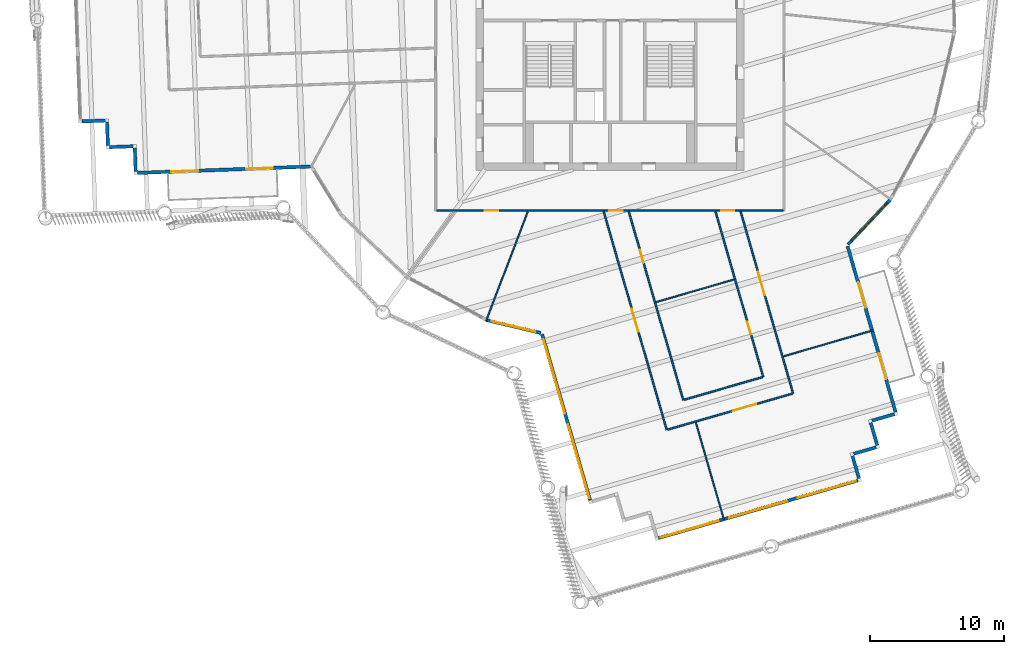
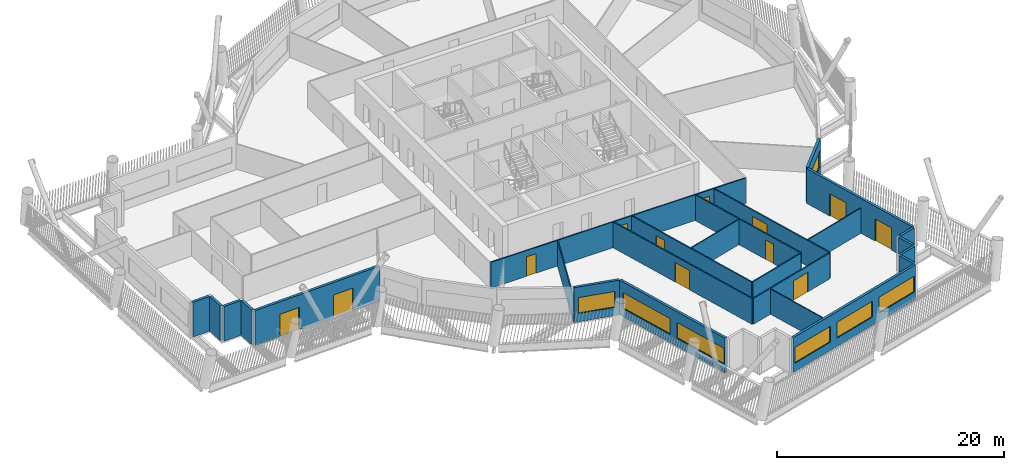
# One storey, part 3 of 20: 25 walls, 12 doors, 7 windows, 19 openings.
"""IFC4 building model written with IfcOpenShell, lengths in metres."""

from ifc_helpers import new_model, si_unit, direction, frame, frame_2d, origin, place, context, subcontext, project, spatial, rectangle, extrude, material, layer, layer_set, type_object, element, fill, save


model = new_model("IFC4")

# Units and contexts
model_context = context("Model", 3, precision=1e-05, world=origin(), true_north=direction((0.0, 1.0)))
body_context = subcontext(model_context, "Body", "Model", "MODEL_VIEW")
ifc_project = project(units=[si_unit("LENGTHUNIT", "METRE"), si_unit("AREAUNIT", "SQUARE_METRE"), si_unit("VOLUMEUNIT", "CUBIC_METRE"), si_unit("PLANEANGLEUNIT", "RADIAN"), si_unit("MASSUNIT", "GRAM", prefix="KILO")], contexts=[model_context])

# Site, building, storey
site_placement = place(None, origin())
site = spatial("IfcSite", under=ifc_project, at=site_placement, CompositionType="ELEMENT")
building_placement = place(site_placement, origin())
building = spatial("IfcBuilding", under=site, at=building_placement, Name="Tarsis Ring Headquarters", CompositionType="ELEMENT")
storey_placement = place(building_placement, frame((0.0, 0.0, 294.199951171875)))
storey = spatial("IfcBuildingStorey", under=building, at=storey_placement, Name="L69", CompositionType="ELEMENT", Elevation=294.199951171875)

# Walls
ifc_material_1 = material(Name="Gypsum board on steel studs", Category="steel")
ifc_layer_1 = layer(ifc_material_1, 0.10009765625)
ifc_layer_set_1 = layer_set([ifc_layer_1], Name="FL partition 100 unrated")
wall_type_1 = type_object("IfcWallType", Name="FL partition 100 unrated", PredefinedType="PARTITIONING", material=ifc_layer_set_1)
wall_1_placement = place(storey_placement, frame((-9.248046875, -24.243896484375, 0.0), z_axis=(0.0, 0.0, 1.0), x_axis=(0.356408663159, 0.934330169065, 0.0)))
element("IfcWall", 1, at=wall_1_placement, inside=storey, type_object=wall_type_1, Name="Partition PW3", PredefinedType="PARTITIONING", context=body_context, shape_type="SweptSolid", body=[
    extrude(rectangle(XDim=8.743408203125, YDim=0.10009765625, at=frame_2d((4.37158203125, 0.0))), origin(), (0.0, 0.0, 1.0), 2.699951171875),
])
wall_2_placement = place(storey_placement, frame((6.4169921875, -31.8193359375, 0.0), z_axis=(0.0, 0.0, 1.0), x_axis=(0.277643093449, -0.960684293959, 0.0)))
element("IfcWall", 2, at=wall_2_placement, inside=storey, type_object=wall_type_1, Name="Partition PW3", PredefinedType="PARTITIONING", context=body_context, shape_type="SweptSolid", body=[
    extrude(rectangle(XDim=7.60009765625, YDim=0.10009765625, at=frame_2d((3.800048828125, 0.0))), origin(), (0.0, 0.0, 1.0), 2.699951171875),
])
wall_3_placement = place(storey_placement, frame((12.95263671875, -26.880615234375, 0.0), z_axis=(0.0, 0.0, 1.0), x_axis=(0.960680138632, 0.277657471066, 0.0)))
element("IfcWall", 3, at=wall_3_placement, inside=storey, type_object=wall_type_1, Name="Partition PW3", PredefinedType="PARTITIONING", context=body_context, shape_type="SweptSolid", body=[
    extrude(rectangle(XDim=6.97021484375, YDim=0.10009765625, at=frame_2d((3.485107421875, 0.0))), origin(), (0.0, 0.0, 1.0), 2.699951171875),
])
wall_4_placement = place(storey_placement, frame((3.434814453125, -22.833984375, 0.0), z_axis=(0.0, 0.0, 1.0), x_axis=(0.960689196962, 0.277626127807, 0.0)))
element("IfcWall", 4, at=wall_4_placement, inside=storey, type_object=wall_type_1, Name="Partition PW3", PredefinedType="PARTITIONING", context=body_context, shape_type="SweptSolid", body=[
    extrude(rectangle(XDim=6.080078125, YDim=0.10009765625, at=frame_2d((3.0400390625, 0.0))), origin(), (0.0, 0.0, 1.0), 2.699951171875),
])

# Wall, openings, doors
ifc_layer_2 = layer(ifc_material_1, 0.125)
ifc_layer_set_2 = layer_set([ifc_layer_2], Name="FL partition 125 EI 60 H2770")
wall_type_2 = type_object("IfcWallType", Name="FL partition 125 EI 60 H2770", PredefinedType="PARTITIONING", material=ifc_layer_set_2)
wall_5_placement = place(storey_placement, frame((-12.93994140625, -16.0, 0.0), z_axis=(0.0, 0.0, 1.0), x_axis=(1.0, 0.0, 0.0)))
wall_5 = element("IfcWall", 5, at=wall_5_placement, inside=storey, type_object=wall_type_2, Name="Partition PW1", PredefinedType="PARTITIONING", context=body_context, shape_type="SweptSolid", body=[
    extrude(rectangle(XDim=25.8798828125, YDim=0.125, at=frame_2d((12.93994140625, 0.0))), origin(), (0.0, 0.0, 1.0), 2.77001953125),
])
opening_1_placement = place(wall_5_placement, frame((3.6015625, 0.0, 0.0)))
opening_1 = element("IfcOpeningElement", 6, at=opening_1_placement, cuts=wall_5, Name="Opening D69.13", PredefinedType="OPENING", context=body_context, shape_type="SweptSolid", body=[
    extrude(rectangle(XDim=1.0, YDim=2.10009765625, at=frame_2d((0.5, 1.050048828125))), frame((0.0, 0.072509765625, 0.0), z_axis=(0.0, -1.0, 0.0), x_axis=(1.0, 0.0, 0.0)), (0.0, 0.0, 1.0), 0.14501953125),
])
opening_2_placement = place(wall_5_placement, frame((12.89013671875, 0.0, 0.0)))
opening_2 = element("IfcOpeningElement", 7, at=opening_2_placement, cuts=wall_5, Name="Opening D69.19", PredefinedType="OPENING", context=body_context, shape_type="SweptSolid", body=[
    extrude(rectangle(XDim=1.0, YDim=2.10009765625, at=frame_2d((0.5, 1.050048828125))), frame((0.0, 0.072509765625, 0.0), z_axis=(0.0, -1.0, 0.0), x_axis=(1.0, 0.0, 0.0)), (0.0, 0.0, 1.0), 0.14501953125),
])
opening_3_placement = place(wall_5_placement, frame((21.23828125, 0.0, 0.0)))
opening_3 = element("IfcOpeningElement", 8, at=opening_3_placement, cuts=wall_5, Name="Opening D69.20", PredefinedType="OPENING", context=body_context, shape_type="SweptSolid", body=[
    extrude(rectangle(XDim=1.0, YDim=2.10009765625, at=frame_2d((0.5, 1.050048828125))), frame((0.0, 0.072509765625, 0.0), z_axis=(0.0, -1.0, 0.0), x_axis=(1.0, 0.0, 0.0)), (0.0, 0.0, 1.0), 0.14501953125),
])
ifc_material_2 = material(Name="Fire-rated timber door leaf in steel frame", Category="steel")
door_type_1 = type_object("IfcDoorType", Name="FL door FD60-1000", OperationType="NOTDEFINED", PredefinedType="DOOR", material=ifc_material_2)
door_1_placement = place(opening_1_placement, origin())
door_1 = element("IfcDoor", 9, at=door_1_placement, inside=storey, type_object=door_type_1, Name="Door D69.13", OperationType="SINGLE_SWING_RIGHT", OverallHeight=2.10009765625, OverallWidth=1.0, PredefinedType="DOOR", context=body_context, shape_type="SweptSolid", body=[
    extrude(rectangle(XDim=1.0, YDim=2.10009765625, at=frame_2d((0.5, 1.050048828125))), frame((0.0, 0.02490234375, 0.0), z_axis=(0.0, -1.0, 0.0), x_axis=(1.0, 0.0, 0.0)), (0.0, 0.0, 1.0), 0.050048828125),
])
fill(opening_1, door_1)
door_2_placement = place(opening_2_placement, origin())
door_2 = element("IfcDoor", 10, at=door_2_placement, inside=storey, type_object=door_type_1, Name="Door D69.19", OperationType="SINGLE_SWING_RIGHT", OverallHeight=2.10009765625, OverallWidth=1.0, PredefinedType="DOOR", context=body_context, shape_type="SweptSolid", body=[
    extrude(rectangle(XDim=1.0, YDim=2.10009765625, at=frame_2d((0.5, 1.050048828125))), frame((0.0, 0.02490234375, 0.0), z_axis=(0.0, -1.0, 0.0), x_axis=(1.0, 0.0, 0.0)), (0.0, 0.0, 1.0), 0.050048828125),
])
fill(opening_2, door_2)
door_3_placement = place(opening_3_placement, origin())
door_3 = element("IfcDoor", 11, at=door_3_placement, inside=storey, type_object=door_type_1, Name="Door D69.20", OperationType="SINGLE_SWING_LEFT", OverallHeight=2.10009765625, OverallWidth=1.0, PredefinedType="DOOR", context=body_context, shape_type="SweptSolid", body=[
    extrude(rectangle(XDim=1.0, YDim=2.10009765625, at=frame_2d((0.5, 1.050048828125))), frame((0.0, 0.02490234375, 0.0), z_axis=(0.0, -1.0, 0.0), x_axis=(1.0, 0.0, 0.0)), (0.0, 0.0, 1.0), 0.050048828125),
])
fill(opening_3, door_3)

# Wall, opening, door
wall_6_placement = place(storey_placement, frame((-0.464599609375, -16.076904296875, 0.0), z_axis=(0.0, 0.0, 1.0), x_axis=(0.277656541268, -0.960680407363, 0.0)))
wall_6 = element("IfcWall", 12, at=wall_6_placement, inside=storey, type_object=wall_type_2, Name="Partition PW1", PredefinedType="PARTITIONING", context=body_context, shape_type="SweptSolid", body=[
    extrude(rectangle(XDim=16.964111328125, YDim=0.125, at=frame_2d((8.48193359375, 0.0))), origin(), (0.0, 0.0, 1.0), 2.77001953125),
])
opening_4_placement = place(wall_6_placement, frame((7.5419921875, 0.0, 0.0)))
opening_4 = element("IfcOpeningElement", 13, at=opening_4_placement, cuts=wall_6, Name="Opening D69.12", PredefinedType="OPENING", context=body_context, shape_type="SweptSolid", body=[
    extrude(rectangle(XDim=1.800048828125, YDim=2.10009765625, at=frame_2d((0.89990234375, 1.050048828125))), frame((0.0, 0.072509765625, 0.0), z_axis=(0.0, -1.0, 0.0), x_axis=(1.0, 0.0, 0.0)), (0.0, 0.0, 1.0), 0.14501953125),
])
door_type_2 = type_object("IfcDoorType", Name="FL door FD60-1800", OperationType="DOUBLE_DOOR_SINGLE_SWING", PredefinedType="DOOR", material=ifc_material_2)
door_4_placement = place(opening_4_placement, origin())
door_4 = element("IfcDoor", 14, at=door_4_placement, inside=storey, type_object=door_type_2, Name="Door D69.12", OperationType="DOUBLE_DOOR_SINGLE_SWING", OverallHeight=2.10009765625, OverallWidth=1.800048828125, PredefinedType="DOOR", context=body_context, shape_type="SweptSolid", body=[
    extrude(rectangle(XDim=1.800048828125, YDim=2.10009765625, at=frame_2d((0.89990234375, 1.050048828125))), frame((0.0, 0.02490234375, 0.0), z_axis=(0.0, -1.0, 0.0), x_axis=(1.0, 0.0, 0.0)), (0.0, 0.0, 1.0), 0.050048828125),
])
fill(opening_4, door_4)

wall_7_placement = place(storey_placement, frame((1.4091796875, -16.076904296875, 0.0), z_axis=(0.0, 0.0, 1.0), x_axis=(0.27765283552, -0.960681478393, 0.0)))
wall_7 = element("IfcWall", 15, at=wall_7_placement, inside=storey, type_object=wall_type_2, Name="Partition PW1", PredefinedType="PARTITIONING", context=body_context, shape_type="SweptSolid", body=[
    extrude(rectangle(XDim=14.643798828125, YDim=0.125, at=frame_2d((7.32177734375, 0.0))), origin(), (0.0, 0.0, 1.0), 2.77001953125),
])
opening_5_placement = place(wall_7_placement, frame((2.989501953125, 0.0, 0.0)))
opening_5 = element("IfcOpeningElement", 16, at=opening_5_placement, cuts=wall_7, Name="Opening D69.17", PredefinedType="OPENING", context=body_context, shape_type="SweptSolid", body=[
    extrude(rectangle(XDim=1.0, YDim=2.10009765625, at=frame_2d((0.5, 1.050048828125))), frame((0.0, 0.072509765625, 0.0), z_axis=(0.0, -1.0, 0.0), x_axis=(1.0, 0.0, 0.0)), (0.0, 0.0, 1.0), 0.14501953125),
])
door_5_placement = place(opening_5_placement, origin())
door_5 = element("IfcDoor", 17, at=door_5_placement, inside=storey, type_object=door_type_1, Name="Door D69.17", OperationType="SINGLE_SWING_RIGHT", OverallHeight=2.10009765625, OverallWidth=1.0, PredefinedType="DOOR", context=body_context, shape_type="SweptSolid", body=[
    extrude(rectangle(XDim=1.0, YDim=2.10009765625, at=frame_2d((0.5, 1.050048828125))), frame((0.0, 0.02490234375, 0.0), z_axis=(0.0, -1.0, 0.0), x_axis=(1.0, 0.0, 0.0)), (0.0, 0.0, 1.0), 0.050048828125),
])
fill(opening_5, door_5)

wall_8_placement = place(storey_placement, frame((9.75732421875, -16.076904296875, 0.0), z_axis=(0.0, 0.0, 1.0), x_axis=(0.277648476079, -0.960682738333, 0.0)))
wall_8 = element("IfcWall", 18, at=wall_8_placement, inside=storey, type_object=wall_type_2, Name="Partition PW1", PredefinedType="PARTITIONING", context=body_context, shape_type="SweptSolid", body=[
    extrude(rectangle(XDim=14.126220703125, YDim=0.125, at=frame_2d((7.06298828125, 0.0))), origin(), (0.0, 0.0, 1.0), 2.77001953125),
])
opening_6_placement = place(wall_8_placement, frame((4.6953125, 0.0, 0.0)))
opening_6 = element("IfcOpeningElement", 19, at=opening_6_placement, cuts=wall_8, Name="Opening D69.10", PredefinedType="OPENING", context=body_context, shape_type="SweptSolid", body=[
    extrude(rectangle(XDim=1.800048828125, YDim=2.10009765625, at=frame_2d((0.89990234375, 1.050048828125))), frame((0.0, 0.072509765625, 0.0), z_axis=(0.0, -1.0, 0.0), x_axis=(1.0, 0.0, 0.0)), (0.0, 0.0, 1.0), 0.14501953125),
])
door_6_placement = place(opening_6_placement, origin())
door_6 = element("IfcDoor", 20, at=door_6_placement, inside=storey, type_object=door_type_2, Name="Door D69.10", OperationType="DOUBLE_DOOR_SINGLE_SWING", OverallHeight=2.10009765625, OverallWidth=1.800048828125, PredefinedType="DOOR", context=body_context, shape_type="SweptSolid", body=[
    extrude(rectangle(XDim=1.800048828125, YDim=2.10009765625, at=frame_2d((0.89990234375, 1.050048828125))), frame((0.0, 0.02490234375, 0.0), z_axis=(0.0, -1.0, 0.0), x_axis=(1.0, 0.0, 0.0)), (0.0, 0.0, 1.0), 0.050048828125),
])
fill(opening_6, door_6)

wall_9_placement = place(storey_placement, frame((7.8837890625, -16.076904296875, 0.0), z_axis=(0.0, 0.0, 1.0), x_axis=(0.277639048988, -0.960685462822, 0.0)))
wall_9 = element("IfcWall", 21, at=wall_9_placement, inside=storey, type_object=wall_type_2, Name="Partition PW1", PredefinedType="PARTITIONING", context=body_context, shape_type="SweptSolid", body=[
    extrude(rectangle(XDim=12.846435546875, YDim=0.125, at=frame_2d((6.42333984375, 0.0))), origin(), (0.0, 0.0, 1.0), 2.77001953125),
])
opening_7_placement = place(wall_9_placement, frame((8.5537109375, 0.0, 0.0)))
opening_7 = element("IfcOpeningElement", 22, at=opening_7_placement, cuts=wall_9, Name="Opening D69.18", PredefinedType="OPENING", context=body_context, shape_type="SweptSolid", body=[
    extrude(rectangle(XDim=1.0, YDim=2.10009765625, at=frame_2d((0.5, 1.050048828125))), frame((0.0, 0.072509765625, 0.0), z_axis=(0.0, -1.0, 0.0), x_axis=(1.0, 0.0, 0.0)), (0.0, 0.0, 1.0), 0.14501953125),
])
door_7_placement = place(opening_7_placement, origin())
door_7 = element("IfcDoor", 23, at=door_7_placement, inside=storey, type_object=door_type_1, Name="Door D69.18", OperationType="SINGLE_SWING_LEFT", OverallHeight=2.10009765625, OverallWidth=1.0, PredefinedType="DOOR", context=body_context, shape_type="SweptSolid", body=[
    extrude(rectangle(XDim=1.0, YDim=2.10009765625, at=frame_2d((0.5, 1.050048828125))), frame((0.0, 0.02490234375, 0.0), z_axis=(0.0, -1.0, 0.0), x_axis=(1.0, 0.0, 0.0)), (0.0, 0.0, 1.0), 0.050048828125),
])
fill(opening_7, door_7)

wall_10_placement = place(storey_placement, frame((4.30322265625, -32.357421875, 0.0), z_axis=(0.0, 0.0, 1.0), x_axis=(0.960684648863, 0.27764186543, 0.0)))
wall_10 = element("IfcWall", 24, at=wall_10_placement, inside=storey, type_object=wall_type_2, Name="Partition PW1", PredefinedType="PARTITIONING", context=body_context, shape_type="SweptSolid", body=[
    extrude(rectangle(XDim=9.699951171875, YDim=0.125, at=frame_2d((4.85009765625, 0.0))), origin(), (0.0, 0.0, 1.0), 2.77001953125),
])
opening_8_placement = place(wall_10_placement, frame((5.07177734375, 0.0, 0.0)))
opening_8 = element("IfcOpeningElement", 25, at=opening_8_placement, cuts=wall_10, Name="Opening D69.11", PredefinedType="OPENING", context=body_context, shape_type="SweptSolid", body=[
    extrude(rectangle(XDim=1.800048828125, YDim=2.10009765625, at=frame_2d((0.89990234375, 1.050048828125))), frame((0.0, 0.072509765625, 0.0), z_axis=(0.0, -1.0, 0.0), x_axis=(1.0, 0.0, 0.0)), (0.0, 0.0, 1.0), 0.14501953125),
])
door_8_placement = place(opening_8_placement, origin())
door_8 = element("IfcDoor", 26, at=door_8_placement, inside=storey, type_object=door_type_2, Name="Door D69.11", OperationType="DOUBLE_DOOR_SINGLE_SWING", OverallHeight=2.10009765625, OverallWidth=1.800048828125, PredefinedType="DOOR", context=body_context, shape_type="SweptSolid", body=[
    extrude(rectangle(XDim=1.800048828125, YDim=2.10009765625, at=frame_2d((0.89990234375, 1.050048828125))), frame((0.0, 0.02490234375, 0.0), z_axis=(0.0, -1.0, 0.0), x_axis=(1.0, 0.0, 0.0)), (0.0, 0.0, 1.0), 0.050048828125),
])
fill(opening_8, door_8)

# Wall
wall_11_placement = place(storey_placement, frame((5.53271484375, -30.12841796875, 0.0), z_axis=(0.0, 0.0, 1.0), x_axis=(0.960684296458, 0.277643084803, 0.0)))
element("IfcWall", 27, at=wall_11_placement, inside=storey, type_object=wall_type_2, Name="Partition PW1", PredefinedType="PARTITIONING", context=body_context, shape_type="SweptSolid", body=[
    extrude(rectangle(XDim=6.099853515625, YDim=0.125, at=frame_2d((3.0498046875, 0.0))), origin(), (0.0, 0.0, 1.0), 2.77001953125),
])

# Wall, openings, doors
ifc_material_3 = material(Name="Terracotta clad insulated panel wall", Category="masonry")
ifc_layer_3 = layer(ifc_material_3, 0.25)
ifc_layer_set_3 = layer_set([ifc_layer_3], Name="Facade wall terracotta panel 250")
wall_type_3 = type_object("IfcWallType", Name="Facade wall terracotta panel 250", PredefinedType="STANDARD", material=ifc_layer_set_3)
wall_12_placement = place(storey_placement, frame((-35.2861328125, -13.189453125, 0.0), z_axis=(0.0, 0.0, 1.0), x_axis=(0.999315506521, 0.036993491677, 0.0)))
wall_12 = element("IfcWall", 28, at=wall_12_placement, inside=storey, type_object=wall_type_3, Name="External wall L69-01", PredefinedType="STANDARD", context=body_context, shape_type="SweptSolid", body=[
    extrude(rectangle(XDim=12.921875, YDim=0.25, at=frame_2d((6.4609375, 0.0))), origin(), (0.0, 0.0, 1.0), 3.739990234375),
])
opening_9_placement = place(wall_12_placement, frame((2.550048828125, 0.0, 0.0)))
opening_9 = element("IfcOpeningElement", 29, at=opening_9_placement, cuts=wall_12, Name="Opening L69-BD01", PredefinedType="OPENING", context=body_context, shape_type="SweptSolid", body=[
    extrude(rectangle(XDim=2.0, YDim=2.39990234375, at=frame_2d((1.0, 1.199951171875))), frame((0.0, 0.135009765625, 0.0), z_axis=(0.0, -1.0, 0.0), x_axis=(1.0, 0.0, 0.0)), (0.0, 0.0, 1.0), 0.27001953125),
])
opening_10_placement = place(wall_12_placement, frame((8.1220703125, 0.0, 0.0)))
opening_10 = element("IfcOpeningElement", 30, at=opening_10_placement, cuts=wall_12, Name="Opening L69-BD02", PredefinedType="OPENING", context=body_context, shape_type="SweptSolid", body=[
    extrude(rectangle(XDim=2.0, YDim=2.39990234375, at=frame_2d((1.0, 1.199951171875))), frame((0.0, 0.135009765625, 0.0), z_axis=(0.0, -1.0, 0.0), x_axis=(1.0, 0.0, 0.0)), (0.0, 0.0, 1.0), 0.27001953125),
])
ifc_material_4 = material(Name="Aluminium framed double glazing", Category="aluminium")
door_type_3 = type_object("IfcDoorType", Name="Balcony sliding door 2000 x 2400", OperationType="SLIDING_TO_LEFT", PredefinedType="DOOR", material=ifc_material_4)
door_9_placement = place(opening_9_placement, origin())
door_9 = element("IfcDoor", 31, at=door_9_placement, inside=storey, type_object=door_type_3, Name="Door L69-BD01", OperationType="SINGLE_SWING_LEFT", OverallHeight=2.39990234375, OverallWidth=2.0, PredefinedType="DOOR", context=body_context, shape_type="SweptSolid", body=[
    extrude(rectangle(XDim=2.0, YDim=2.39990234375, at=frame_2d((1.0, 1.199951171875))), frame((0.0, 0.02490234375, 0.0), z_axis=(0.0, -1.0, 0.0), x_axis=(1.0, 0.0, 0.0)), (0.0, 0.0, 1.0), 0.050048828125),
])
fill(opening_9, door_9)
door_10_placement = place(opening_10_placement, origin())
door_10 = element("IfcDoor", 32, at=door_10_placement, inside=storey, type_object=door_type_3, Name="Door L69-BD02", OperationType="SINGLE_SWING_LEFT", OverallHeight=2.39990234375, OverallWidth=2.0, PredefinedType="DOOR", context=body_context, shape_type="SweptSolid", body=[
    extrude(rectangle(XDim=2.0, YDim=2.39990234375, at=frame_2d((1.0, 1.199951171875))), frame((0.0, 0.02490234375, 0.0), z_axis=(0.0, -1.0, 0.0), x_axis=(1.0, 0.0, 0.0)), (0.0, 0.0, 1.0), 0.050048828125),
])
fill(opening_10, door_10)

# Wall, opening, window
wall_13_placement = place(storey_placement, frame((-9.205810546875, -24.178466796875, 0.0), z_axis=(0.0, 0.0, 1.0), x_axis=(0.972852820001, -0.231424697508, 0.0)))
wall_13 = element("IfcWall", 33, at=wall_13_placement, inside=storey, type_object=wall_type_3, Name="External wall L69-05", PredefinedType="STANDARD", context=body_context, shape_type="SweptSolid", body=[
    extrude(rectangle(XDim=4.157470703125, YDim=0.25, at=frame_2d((2.07861328125, 0.0))), origin(), (0.0, 0.0, 1.0), 3.739990234375),
])
opening_11_placement = place(wall_13_placement, frame((0.38720703125, 0.0, 0.89990234375)))
opening_11 = element("IfcOpeningElement", 34, at=opening_11_placement, cuts=wall_13, Name="Opening WN01", PredefinedType="OPENING", context=body_context, shape_type="SweptSolid", body=[
    extrude(rectangle(XDim=3.35009765625, YDim=1.699951171875, at=frame_2d((1.675048828125, 0.85009765625))), frame((0.0, 0.135009765625, 0.0), z_axis=(0.0, -1.0, 0.0), x_axis=(1.0, 0.0, 0.0)), (0.0, 0.0, 1.0), 0.27001953125),
])
window_type_1 = type_object("IfcWindowType", Name="Facade window 3350 x 1700", PartitioningType="SINGLE_PANEL", PredefinedType="WINDOW", material=ifc_material_4)
window_1_placement = place(opening_11_placement, origin())
window_1 = element("IfcWindow", 35, at=window_1_placement, inside=storey, type_object=window_type_1, Name="Window L69-05.1", OverallHeight=1.699951171875, OverallWidth=3.35009765625, PartitioningType="SINGLE_PANEL", PredefinedType="WINDOW", context=body_context, shape_type="SweptSolid", body=[
    extrude(rectangle(XDim=3.35009765625, YDim=1.699951171875, at=frame_2d((1.675048828125, 0.85009765625))), frame((0.0, 0.030029296875, 0.0), z_axis=(0.0, -1.0, 0.0), x_axis=(1.0, 0.0, 0.0)), (0.0, 0.0, 1.0), 0.06005859375),
])
fill(opening_11, window_1)

# Wall, openings, windows
wall_14_placement = place(storey_placement, frame((-5.06982421875, -25.2275390625, 0.0), z_axis=(0.0, 0.0, 1.0), x_axis=(0.277636916542, -0.960686079098, 0.0)))
wall_14 = element("IfcWall", 36, at=wall_14_placement, inside=storey, type_object=wall_type_3, Name="External wall L69-06", PredefinedType="STANDARD", context=body_context, shape_type="SweptSolid", body=[
    extrude(rectangle(XDim=12.922119140625, YDim=0.25, at=frame_2d((6.4609375, 0.0))), origin(), (0.0, 0.0, 1.0), 3.739990234375),
])
opening_12_placement = place(wall_14_placement, frame((0.41796875, 0.0, 0.89990234375)))
opening_12 = element("IfcOpeningElement", 37, at=opening_12_placement, cuts=wall_14, Name="Opening WN06", PredefinedType="OPENING", context=body_context, shape_type="SweptSolid", body=[
    extrude(rectangle(XDim=5.75, YDim=1.699951171875, at=frame_2d((2.875, 0.85009765625))), frame((0.0, 0.135009765625, 0.0), z_axis=(0.0, -1.0, 0.0), x_axis=(1.0, 0.0, 0.0)), (0.0, 0.0, 1.0), 0.27001953125),
])
opening_13_placement = place(wall_14_placement, frame((7.00390625, 0.0, 0.89990234375)))
opening_13 = element("IfcOpeningElement", 38, at=opening_13_placement, cuts=wall_14, Name="Opening WN06", PredefinedType="OPENING", context=body_context, shape_type="SweptSolid", body=[
    extrude(rectangle(XDim=5.75, YDim=1.699951171875, at=frame_2d((2.875, 0.85009765625))), frame((0.0, 0.135009765625, 0.0), z_axis=(0.0, -1.0, 0.0), x_axis=(1.0, 0.0, 0.0)), (0.0, 0.0, 1.0), 0.27001953125),
])
window_type_2 = type_object("IfcWindowType", Name="Facade window 5750 x 1700", PartitioningType="SINGLE_PANEL", PredefinedType="WINDOW", material=ifc_material_4)
window_2_placement = place(opening_12_placement, origin())
window_2 = element("IfcWindow", 39, at=window_2_placement, inside=storey, type_object=window_type_2, Name="Window L69-06.1", OverallHeight=1.699951171875, OverallWidth=5.75, PartitioningType="SINGLE_PANEL", PredefinedType="WINDOW", context=body_context, shape_type="SweptSolid", body=[
    extrude(rectangle(XDim=5.75, YDim=1.699951171875, at=frame_2d((2.875, 0.85009765625))), frame((0.0, 0.030029296875, 0.0), z_axis=(0.0, -1.0, 0.0), x_axis=(1.0, 0.0, 0.0)), (0.0, 0.0, 1.0), 0.06005859375),
])
fill(opening_12, window_2)
window_3_placement = place(opening_13_placement, origin())
window_3 = element("IfcWindow", 40, at=window_3_placement, inside=storey, type_object=window_type_2, Name="Window L69-06.2", OverallHeight=1.699951171875, OverallWidth=5.75, PartitioningType="SINGLE_PANEL", PredefinedType="WINDOW", context=body_context, shape_type="SweptSolid", body=[
    extrude(rectangle(XDim=5.75, YDim=1.699951171875, at=frame_2d((2.875, 0.85009765625))), frame((0.0, 0.030029296875, 0.0), z_axis=(0.0, -1.0, 0.0), x_axis=(1.0, 0.0, 0.0)), (0.0, 0.0, 1.0), 0.06005859375),
])
fill(opening_13, window_3)

wall_15_placement = place(storey_placement, frame((3.6259765625, -40.458984375, 0.0), z_axis=(0.0, 0.0, 1.0), x_axis=(0.960684405501, 0.277642707499, 0.0)))
wall_15 = element("IfcWall", 41, at=wall_15_placement, inside=storey, type_object=wall_type_3, Name="External wall L69-11", PredefinedType="STANDARD", context=body_context, shape_type="SweptSolid", body=[
    extrude(rectangle(XDim=15.5, YDim=0.25, at=frame_2d((7.75, 0.0))), origin(), (0.0, 0.0, 1.0), 3.739990234375),
])
opening_14_placement = place(wall_15_placement, frame((0.166748046875, 0.0, 0.89990234375)))
opening_14 = element("IfcOpeningElement", 42, at=opening_14_placement, cuts=wall_15, Name="Opening WN04", PredefinedType="OPENING", context=body_context, shape_type="SweptSolid", body=[
    extrude(rectangle(XDim=4.5, YDim=1.699951171875, at=frame_2d((2.25, 0.85009765625))), frame((0.0, 0.135009765625, 0.0), z_axis=(0.0, -1.0, 0.0), x_axis=(1.0, 0.0, 0.0)), (0.0, 0.0, 1.0), 0.27001953125),
])
opening_15_placement = place(wall_15_placement, frame((5.5, 0.0, 0.89990234375)))
opening_15 = element("IfcOpeningElement", 43, at=opening_15_placement, cuts=wall_15, Name="Opening WN04", PredefinedType="OPENING", context=body_context, shape_type="SweptSolid", body=[
    extrude(rectangle(XDim=4.5, YDim=1.699951171875, at=frame_2d((2.25, 0.85009765625))), frame((0.0, 0.135009765625, 0.0), z_axis=(0.0, -1.0, 0.0), x_axis=(1.0, 0.0, 0.0)), (0.0, 0.0, 1.0), 0.27001953125),
])
opening_16_placement = place(wall_15_placement, frame((10.833251953125, 0.0, 0.89990234375)))
opening_16 = element("IfcOpeningElement", 44, at=opening_16_placement, cuts=wall_15, Name="Opening WN04", PredefinedType="OPENING", context=body_context, shape_type="SweptSolid", body=[
    extrude(rectangle(XDim=4.5, YDim=1.699951171875, at=frame_2d((2.25, 0.85009765625))), frame((0.0, 0.135009765625, 0.0), z_axis=(0.0, -1.0, 0.0), x_axis=(1.0, 0.0, 0.0)), (0.0, 0.0, 1.0), 0.27001953125),
])
window_type_3 = type_object("IfcWindowType", Name="Facade window 4500 x 1700", PartitioningType="SINGLE_PANEL", PredefinedType="WINDOW", material=ifc_material_4)
window_4_placement = place(opening_14_placement, origin())
window_4 = element("IfcWindow", 45, at=window_4_placement, inside=storey, type_object=window_type_3, Name="Window L69-11.1", OverallHeight=1.699951171875, OverallWidth=4.5, PartitioningType="SINGLE_PANEL", PredefinedType="WINDOW", context=body_context, shape_type="SweptSolid", body=[
    extrude(rectangle(XDim=4.5, YDim=1.699951171875, at=frame_2d((2.25, 0.85009765625))), frame((0.0, 0.030029296875, 0.0), z_axis=(0.0, -1.0, 0.0), x_axis=(1.0, 0.0, 0.0)), (0.0, 0.0, 1.0), 0.06005859375),
])
fill(opening_14, window_4)
window_5_placement = place(opening_15_placement, origin())
window_5 = element("IfcWindow", 46, at=window_5_placement, inside=storey, type_object=window_type_3, Name="Window L69-11.2", OverallHeight=1.699951171875, OverallWidth=4.5, PartitioningType="SINGLE_PANEL", PredefinedType="WINDOW", context=body_context, shape_type="SweptSolid", body=[
    extrude(rectangle(XDim=4.5, YDim=1.699951171875, at=frame_2d((2.25, 0.85009765625))), frame((0.0, 0.030029296875, 0.0), z_axis=(0.0, -1.0, 0.0), x_axis=(1.0, 0.0, 0.0)), (0.0, 0.0, 1.0), 0.06005859375),
])
fill(opening_15, window_5)
window_6_placement = place(opening_16_placement, origin())
window_6 = element("IfcWindow", 47, at=window_6_placement, inside=storey, type_object=window_type_3, Name="Window L69-11.3", OverallHeight=1.699951171875, OverallWidth=4.5, PartitioningType="SINGLE_PANEL", PredefinedType="WINDOW", context=body_context, shape_type="SweptSolid", body=[
    extrude(rectangle(XDim=4.5, YDim=1.699951171875, at=frame_2d((2.25, 0.85009765625))), frame((0.0, 0.030029296875, 0.0), z_axis=(0.0, -1.0, 0.0), x_axis=(1.0, 0.0, 0.0)), (0.0, 0.0, 1.0), 0.06005859375),
])
fill(opening_16, window_6)

# Walls
wall_16_placement = place(storey_placement, frame((18.60205078125, -36.000732421875, 0.0), z_axis=(0.0, 0.0, 1.0), x_axis=(-0.277722751034, 0.960661268897, 0.0)))
element("IfcWall", 48, at=wall_16_placement, inside=storey, type_object=wall_type_3, Name="External wall L69-12", PredefinedType="STANDARD", context=body_context, shape_type="SweptSolid", body=[
    extrude(rectangle(XDim=1.750244140625, YDim=0.25, at=frame_2d((0.875, 0.0))), origin(), (0.0, 0.0, 1.0), 3.739990234375),
])
for number, where, z_axis, x_axis, name in (
    (49, (18.201416015625, -34.16455078125, 0.0), (0.0, 0.0, 1.0), (0.96068772566, 0.277631219004, 0.0), "External wall L69-13"),
    (50, (19.968017578125, -33.52392578125, 0.0), (0.0, 0.0, 1.0), (-0.277631219004, 0.96068772566, 0.0), "External wall L69-14"),
    (51, (19.567626953125, -31.68798828125, 0.0), (0.0, 0.0, 1.0), (0.96068772566, 0.277631219004, 0.0), "External wall L69-15"),
):
    element("IfcWall", number, at=place(storey_placement, frame(where, z_axis=z_axis, x_axis=x_axis)), inside=storey, type_object=wall_type_3, Name=name, PredefinedType="STANDARD", context=body_context, shape_type="SweptSolid", body=[
        extrude(rectangle(XDim=1.75, YDim=0.25, at=frame_2d((0.875, 0.0))), origin(), (0.0, 0.0, 1.0), 3.739990234375),
    ])

# Wall, openings, doors
wall_17_placement = place(storey_placement, frame((21.333984375, -31.04736328125, 0.0), z_axis=(0.0, 0.0, 1.0), x_axis=(-0.2776491051, 0.960682556538, 0.0)))
wall_17 = element("IfcWall", 52, at=wall_17_placement, inside=storey, type_object=wall_type_3, Name="External wall L69-16", PredefinedType="STANDARD", context=body_context, shape_type="SweptSolid", body=[
    extrude(rectangle(XDim=12.9013671875, YDim=0.25, at=frame_2d((6.45068359375, 0.0))), origin(), (0.0, 0.0, 1.0), 3.739990234375),
])
opening_17_placement = place(wall_17_placement, frame((2.550048828125, 0.0, 0.0)))
opening_17 = element("IfcOpeningElement", 53, at=opening_17_placement, cuts=wall_17, Name="Opening L69-BD03", PredefinedType="OPENING", context=body_context, shape_type="SweptSolid", body=[
    extrude(rectangle(XDim=2.0, YDim=2.39990234375, at=frame_2d((1.0, 1.199951171875))), frame((0.0, 0.135009765625, 0.0), z_axis=(0.0, -1.0, 0.0), x_axis=(1.0, 0.0, 0.0)), (0.0, 0.0, 1.0), 0.27001953125),
])
opening_18_placement = place(wall_17_placement, frame((8.101318359375, 0.0, 0.0)))
opening_18 = element("IfcOpeningElement", 54, at=opening_18_placement, cuts=wall_17, Name="Opening L69-BD04", PredefinedType="OPENING", context=body_context, shape_type="SweptSolid", body=[
    extrude(rectangle(XDim=2.0, YDim=2.39990234375, at=frame_2d((1.0, 1.199951171875))), frame((0.0, 0.135009765625, 0.0), z_axis=(0.0, -1.0, 0.0), x_axis=(1.0, 0.0, 0.0)), (0.0, 0.0, 1.0), 0.27001953125),
])
door_11_placement = place(opening_17_placement, origin())
door_11 = element("IfcDoor", 55, at=door_11_placement, inside=storey, type_object=door_type_3, Name="Door L69-BD03", OperationType="SINGLE_SWING_LEFT", OverallHeight=2.39990234375, OverallWidth=2.0, PredefinedType="DOOR", context=body_context, shape_type="SweptSolid", body=[
    extrude(rectangle(XDim=2.0, YDim=2.39990234375, at=frame_2d((1.0, 1.199951171875))), frame((0.0, 0.02490234375, 0.0), z_axis=(0.0, -1.0, 0.0), x_axis=(1.0, 0.0, 0.0)), (0.0, 0.0, 1.0), 0.050048828125),
])
fill(opening_17, door_11)
door_12_placement = place(opening_18_placement, origin())
door_12 = element("IfcDoor", 56, at=door_12_placement, inside=storey, type_object=door_type_3, Name="Door L69-BD04", OperationType="SINGLE_SWING_LEFT", OverallHeight=2.39990234375, OverallWidth=2.0, PredefinedType="DOOR", context=body_context, shape_type="SweptSolid", body=[
    extrude(rectangle(XDim=2.0, YDim=2.39990234375, at=frame_2d((1.0, 1.199951171875))), frame((0.0, 0.02490234375, 0.0), z_axis=(0.0, -1.0, 0.0), x_axis=(1.0, 0.0, 0.0)), (0.0, 0.0, 1.0), 0.050048828125),
])
fill(opening_18, door_12)

# Wall, opening, window
wall_18_placement = place(storey_placement, frame((17.78125, -18.53271484375, 0.0), z_axis=(0.0, 0.0, 1.0), x_axis=(0.686839296725, 0.726809315071, 0.0)))
wall_18 = element("IfcWall", 57, at=wall_18_placement, inside=storey, type_object=wall_type_3, Name="External wall L69-17", PredefinedType="STANDARD", context=body_context, shape_type="SweptSolid", body=[
    extrude(rectangle(XDim=4.61767578125, YDim=0.25, at=frame_2d((2.308837890625, 0.0))), origin(), (0.0, 0.0, 1.0), 3.739990234375),
])
opening_19_placement = place(wall_18_placement, frame((0.400390625, 0.0, 0.89990234375)))
opening_19 = element("IfcOpeningElement", 58, at=opening_19_placement, cuts=wall_18, Name="Opening WN02", PredefinedType="OPENING", context=body_context, shape_type="SweptSolid", body=[
    extrude(rectangle(XDim=3.85009765625, YDim=1.699951171875, at=frame_2d((1.925048828125, 0.85009765625))), frame((0.0, 0.135009765625, 0.0), z_axis=(0.0, -1.0, 0.0), x_axis=(1.0, 0.0, 0.0)), (0.0, 0.0, 1.0), 0.27001953125),
])
window_type_4 = type_object("IfcWindowType", Name="Facade window 3850 x 1700", PartitioningType="SINGLE_PANEL", PredefinedType="WINDOW", material=ifc_material_4)
window_7_placement = place(opening_19_placement, origin())
window_7 = element("IfcWindow", 59, at=window_7_placement, inside=storey, type_object=window_type_4, Name="Window L69-17.1", OverallHeight=1.699951171875, OverallWidth=3.85009765625, PartitioningType="SINGLE_PANEL", PredefinedType="WINDOW", context=body_context, shape_type="SweptSolid", body=[
    extrude(rectangle(XDim=3.85009765625, YDim=1.699951171875, at=frame_2d((1.925048828125, 0.85009765625))), frame((0.0, 0.030029296875, 0.0), z_axis=(0.0, -1.0, 0.0), x_axis=(1.0, 0.0, 0.0)), (0.0, 0.0, 1.0), 0.06005859375),
])
fill(opening_19, window_7)

# Walls
wall_19_placement = place(storey_placement, frame((-39.431396484375, -9.340087890625, 0.0), z_axis=(0.0, 0.0, 1.0), x_axis=(0.9993163618, 0.03697038055, 0.0)))
element("IfcWall", 60, at=wall_19_placement, inside=storey, type_object=wall_type_3, Name="External wall L69-37", PredefinedType="STANDARD", context=body_context, shape_type="SweptSolid", body=[
    extrude(rectangle(XDim=1.75, YDim=0.25, at=frame_2d((0.875, 0.0))), origin(), (0.0, 0.0, 1.0), 3.739990234375),
])
wall_20_placement = place(storey_placement, frame((-37.55322265625, -9.3955078125, 0.0), z_axis=(0.0, 0.0, 1.0), x_axis=(0.037104526763, -0.999311389955, 0.0)))
element("IfcWall", 61, at=wall_20_placement, inside=storey, type_object=wall_type_3, Name="External wall L69-38", PredefinedType="STANDARD", context=body_context, shape_type="SweptSolid", body=[
    extrude(rectangle(XDim=1.750244140625, YDim=0.25, at=frame_2d((0.875, 0.0))), origin(), (0.0, 0.0, 1.0), 3.739990234375),
])
for number, where, z_axis, x_axis, name in (
    (62, (-37.35888671875, -11.2646484375, 0.0), (0.0, 0.0, 1.0), (0.9993163618, 0.03697038055, 0.0), "External wall L69-39"),
    (63, (-35.48046875, -11.3203125, 0.0), (0.0, 0.0, 1.0), (0.03697038055, -0.9993163618, 0.0), "External wall L69-40"),
):
    element("IfcWall", number, at=place(storey_placement, frame(where, z_axis=z_axis, x_axis=x_axis)), inside=storey, type_object=wall_type_3, Name=name, PredefinedType="STANDARD", context=body_context, shape_type="SweptSolid", body=[
        extrude(rectangle(XDim=1.75, YDim=0.25, at=frame_2d((0.875, 0.0))), origin(), (0.0, 0.0, 1.0), 3.739990234375),
    ])

save(model, "model.ifc")
